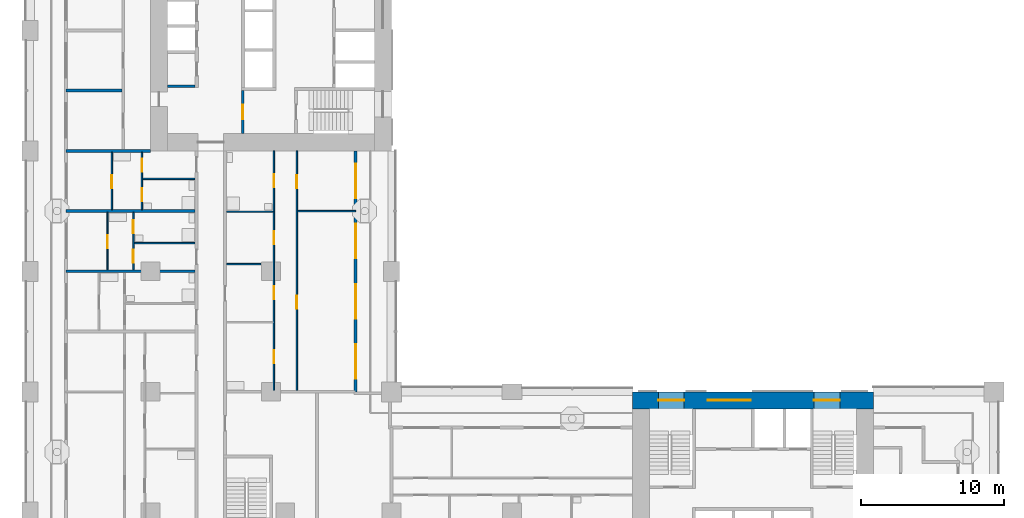
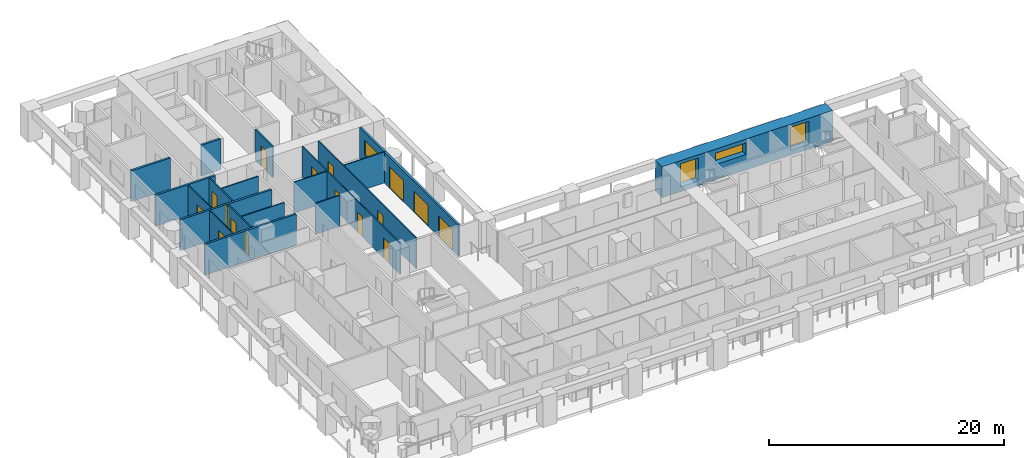
# One storey, part 7 of 19: 19 walls, 16 doors, 4 windows, 20 openings.
"""IFC4 building model written with IfcOpenShell, lengths in metres."""

from ifc_helpers import new_model, si_unit, direction, frame, frame_2d, origin, place, context, subcontext, project, spatial, rectangle, extrude, material, layer, layer_set, type_object, element, fill, save


model = new_model("IFC4")

# Units and contexts
model_context = context("Model", 3, precision=1e-05, world=origin(), true_north=direction((0.0, 1.0)))
body_context = subcontext(model_context, "Body", "Model", "MODEL_VIEW")
ifc_project = project(units=[si_unit("LENGTHUNIT", "METRE"), si_unit("AREAUNIT", "SQUARE_METRE"), si_unit("VOLUMEUNIT", "CUBIC_METRE"), si_unit("PLANEANGLEUNIT", "RADIAN"), si_unit("MASSUNIT", "GRAM", prefix="KILO")], contexts=[model_context])

# Site, building, storey
site_placement = place(None, origin())
site = spatial("IfcSite", under=ifc_project, at=site_placement, CompositionType="ELEMENT")
building_placement = place(site_placement, origin())
building = spatial("IfcBuilding", under=site, at=building_placement, Name="Vermilion Gate Residences", CompositionType="ELEMENT")
storey_placement = place(building_placement, frame((0.0, 0.0, 32.199951171875)))
storey = spatial("IfcBuildingStorey", under=building, at=storey_placement, Name="L06", CompositionType="ELEMENT", Elevation=32.199951171875)

# Wall, opening, door
ifc_material_1 = material(Name="Masonry blockwork", Category="masonry")
ifc_layer_1 = layer(ifc_material_1, 0.14990234375)
ifc_layer_set_1 = layer_set([ifc_layer_1], Name="BLOCKWORK PARTITION 150 EI 120")
wall_type_1 = type_object("IfcWallType", Name="BLOCKWORK PARTITION 150 EI 120", PredefinedType="PARTITIONING", material=ifc_layer_set_1)
wall_1_placement = place(storey_placement, frame((14.824951171875, 46.199951171875, 0.0), z_axis=(0.0, 0.0, 1.0), x_axis=(0.0, -1.0, 0.0)))
wall_1 = element("IfcWall", 1, at=wall_1_placement, inside=storey, type_object=wall_type_1, Name="Core room partition B06-VE-S", PredefinedType="PARTITIONING", context=body_context, shape_type="SweptSolid", body=[
    extrude(rectangle(XDim=3.0, YDim=0.14990234375, at=frame_2d((1.5, 0.0))), origin(), (0.0, 0.0, 1.0), 3.219970703125),
])
opening_1_placement = place(wall_1_placement, frame((1.0, 0.0, 0.0)))
opening_1 = element("IfcOpeningElement", 2, at=opening_1_placement, cuts=wall_1, Name="Opening DK06113", PredefinedType="OPENING", context=body_context, shape_type="SweptSolid", body=[
    extrude(rectangle(XDim=1.0, YDim=2.10009765625, at=frame_2d((0.5, 1.050048828125))), frame((0.0, 0.0849609375, 0.0), z_axis=(0.0, -1.0, 0.0), x_axis=(1.0, 0.0, 0.0)), (0.0, 0.0, 1.0), 0.169921875),
])
ifc_material_2 = material(Name="Steel", Category="steel")
door_type_1 = type_object("IfcDoorType", Name="FIRE DOOR FD60 1000 X 2100", OperationType="SINGLE_SWING_LEFT", PredefinedType="DOOR", material=ifc_material_2)
door_1_placement = place(opening_1_placement, frame((1.0, 0.0, 0.0), z_axis=(0.0, 0.0, 1.0), x_axis=(-1.0, 0.0, 0.0)))
door_1 = element("IfcDoor", 3, at=door_1_placement, inside=storey, type_object=door_type_1, Name="Stair vestibule door B06", OperationType="SINGLE_SWING_LEFT", OverallHeight=2.10009765625, OverallWidth=1.0, PredefinedType="DOOR", context=body_context, shape_type="SweptSolid", body=[
    extrude(rectangle(XDim=1.0, YDim=2.10009765625, at=frame_2d((0.5, 1.050048828125))), frame((0.0, 0.02490234375, 0.0), z_axis=(0.0, -1.0, 0.0), x_axis=(1.0, 0.0, 0.0)), (0.0, 0.0, 1.0), 0.050048828125),
])
fill(opening_1, door_1)

# Wall, openings, doors, window
ifc_material_3 = material(Name="Insulated steel stud wall with terracotta rainscreen", Category="masonry")
ifc_layer_2 = layer(ifc_material_3, 0.199951171875)
ifc_layer_set_2 = layer_set([ifc_layer_2], Name="EXTERNAL WALL 200 TERRACOTTA RAINSCREEN")
wall_type_2 = type_object("IfcWallType", Name="EXTERNAL WALL 200 TERRACOTTA RAINSCREEN", PredefinedType="SOLIDWALL", material=ifc_layer_set_2)
wall_2_placement = place(storey_placement, frame((22.699951171875, 25.199951171875, 0.0), z_axis=(0.0, 0.0, 1.0), x_axis=(0.0, 1.0, 0.0)))
wall_2 = element("IfcWall", 4, at=wall_2_placement, inside=storey, type_object=wall_type_2, Name="External wall", PredefinedType="SOLIDWALL", context=body_context, shape_type="SweptSolid", body=[
    extrude(rectangle(XDim=16.800048828125, YDim=0.199951171875, at=frame_2d((8.39990234375, 0.0))), origin(), (0.0, 0.0, 1.0), 3.219970703125),
])
opening_2_placement = place(wall_2_placement, frame((0.89990234375, 0.0, 0.0)))
opening_2 = element("IfcOpeningElement", 5, at=opening_2_placement, cuts=wall_2, Name="Opening DE06037", PredefinedType="OPENING", context=body_context, shape_type="SweptSolid", body=[
    extrude(rectangle(XDim=2.39990234375, YDim=2.199951171875, at=frame_2d((1.199951171875, 1.10009765625))), frame((0.0, 0.10986328125, 0.0), z_axis=(0.0, -1.0, 0.0), x_axis=(1.0, 0.0, 0.0)), (0.0, 0.0, 1.0), 0.219970703125),
])
opening_3_placement = place(wall_2_placement, frame((5.10009765625, 0.0, 0.0)))
opening_3 = element("IfcOpeningElement", 6, at=opening_3_placement, cuts=wall_2, Name="Opening DE06038", PredefinedType="OPENING", context=body_context, shape_type="SweptSolid", body=[
    extrude(rectangle(XDim=2.39990234375, YDim=2.199951171875, at=frame_2d((1.199951171875, 1.10009765625))), frame((0.0, 0.10986328125, 0.0), z_axis=(0.0, -1.0, 0.0), x_axis=(1.0, 0.0, 0.0)), (0.0, 0.0, 1.0), 0.219970703125),
])
opening_4_placement = place(wall_2_placement, frame((9.300048828125, 0.0, 0.0)))
opening_4 = element("IfcOpeningElement", 7, at=opening_4_placement, cuts=wall_2, Name="Opening DE06039", PredefinedType="OPENING", context=body_context, shape_type="SweptSolid", body=[
    extrude(rectangle(XDim=2.39990234375, YDim=2.199951171875, at=frame_2d((1.199951171875, 1.10009765625))), frame((0.0, 0.10986328125, 0.0), z_axis=(0.0, -1.0, 0.0), x_axis=(1.0, 0.0, 0.0)), (0.0, 0.0, 1.0), 0.219970703125),
])
opening_5_placement = place(wall_2_placement, frame((13.5, 0.0, 0.89990234375)))
opening_5 = element("IfcOpeningElement", 8, at=opening_5_placement, cuts=wall_2, Name="Opening WE06040", PredefinedType="OPENING", context=body_context, shape_type="SweptSolid", body=[
    extrude(rectangle(XDim=2.39990234375, YDim=1.5, at=frame_2d((1.199951171875, 0.75))), frame((0.0, 0.10986328125, 0.0), z_axis=(0.0, -1.0, 0.0), x_axis=(1.0, 0.0, 0.0)), (0.0, 0.0, 1.0), 0.219970703125),
])
ifc_material_4 = material(Name="Aluminium and clear glass", Category="aluminium")
door_type_2 = type_object("IfcDoorType", Name="SLIDING GLAZED DOOR 2400 X 2200", OperationType="DOUBLE_DOOR_SLIDING", PredefinedType="DOOR", material=ifc_material_4)
door_2_placement = place(opening_2_placement, origin())
door_2 = element("IfcDoor", 9, at=door_2_placement, inside=storey, type_object=door_type_2, Name="Loggia sliding door", OperationType="DOUBLE_DOOR_SLIDING", OverallHeight=2.199951171875, OverallWidth=2.39990234375, PredefinedType="DOOR", context=body_context, shape_type="SweptSolid", body=[
    extrude(rectangle(XDim=2.39990234375, YDim=2.199951171875, at=frame_2d((1.199951171875, 1.10009765625))), frame((0.0, 0.02490234375, 0.0), z_axis=(0.0, -1.0, 0.0), x_axis=(1.0, 0.0, 0.0)), (0.0, 0.0, 1.0), 0.050048828125),
])
fill(opening_2, door_2)
door_3_placement = place(opening_3_placement, origin())
door_3 = element("IfcDoor", 10, at=door_3_placement, inside=storey, type_object=door_type_2, Name="Loggia sliding door", OperationType="DOUBLE_DOOR_SLIDING", OverallHeight=2.199951171875, OverallWidth=2.39990234375, PredefinedType="DOOR", context=body_context, shape_type="SweptSolid", body=[
    extrude(rectangle(XDim=2.39990234375, YDim=2.199951171875, at=frame_2d((1.199951171875, 1.10009765625))), frame((0.0, 0.02490234375, 0.0), z_axis=(0.0, -1.0, 0.0), x_axis=(1.0, 0.0, 0.0)), (0.0, 0.0, 1.0), 0.050048828125),
])
fill(opening_3, door_3)
door_4_placement = place(opening_4_placement, origin())
door_4 = element("IfcDoor", 11, at=door_4_placement, inside=storey, type_object=door_type_2, Name="Loggia sliding door", OperationType="DOUBLE_DOOR_SLIDING", OverallHeight=2.199951171875, OverallWidth=2.39990234375, PredefinedType="DOOR", context=body_context, shape_type="SweptSolid", body=[
    extrude(rectangle(XDim=2.39990234375, YDim=2.199951171875, at=frame_2d((1.199951171875, 1.10009765625))), frame((0.0, 0.02490234375, 0.0), z_axis=(0.0, -1.0, 0.0), x_axis=(1.0, 0.0, 0.0)), (0.0, 0.0, 1.0), 0.050048828125),
])
fill(opening_4, door_4)
ifc_material_5 = material(Name="Aluminium and clear glass", Category="aluminium")
window_type_1 = type_object("IfcWindowType", Name="WINDOW 2400 X 1500", PartitioningType="SINGLE_PANEL", PredefinedType="WINDOW", material=ifc_material_5)
window_1_placement = place(opening_5_placement, origin())
window_1 = element("IfcWindow", 12, at=window_1_placement, inside=storey, type_object=window_type_1, Name="Window", OverallHeight=1.5, OverallWidth=2.39990234375, PartitioningType="SINGLE_PANEL", PredefinedType="WINDOW", context=body_context, shape_type="SweptSolid", body=[
    extrude(rectangle(XDim=2.39990234375, YDim=1.5, at=frame_2d((1.199951171875, 0.75))), frame((0.0, 0.030029296875, 0.0), z_axis=(0.0, -1.0, 0.0), x_axis=(1.0, 0.0, 0.0)), (0.0, 0.0, 1.0), 0.06005859375),
])
fill(opening_5, window_1)

# Walls
ifc_material_6 = material(Name="Plasterboard on steel studs", Category="steel")
ifc_layer_3 = layer(ifc_material_6, 0.10009765625)
ifc_layer_set_3 = layer_set([ifc_layer_3], Name="PARTITION 100")
wall_type_3 = type_object("IfcWallType", Name="PARTITION 100", PredefinedType="PARTITIONING", material=ifc_layer_set_3)
wall_3_placement = place(storey_placement, frame((13.699951171875, 34.10009765625, 0.0), z_axis=(0.0, 0.0, 1.0), x_axis=(1.0, 0.0, 0.0)))
element("IfcWall", 13, at=wall_3_placement, inside=storey, type_object=wall_type_3, Name="Partition", PredefinedType="PARTITIONING", context=body_context, shape_type="SweptSolid", body=[
    extrude(rectangle(XDim=2.400146484375, YDim=0.10009765625, at=frame_2d((1.2001953125, 0.0))), origin(), (0.0, 0.0, 1.0), 3.219970703125),
])
wall_4_placement = place(storey_placement, frame((7.25, 35.56005859375, 0.0), z_axis=(0.0, 0.0, 1.0), x_axis=(1.0, 0.0, 0.0)))
element("IfcWall", 14, at=wall_4_placement, inside=storey, type_object=wall_type_3, Name="Partition", PredefinedType="PARTITIONING", context=body_context, shape_type="SweptSolid", body=[
    extrude(rectangle(XDim=4.25, YDim=0.10009765625, at=frame_2d((2.125, 0.0))), origin(), (0.0, 0.0, 1.0), 3.219970703125),
])
wall_5_placement = place(storey_placement, frame((13.699951171875, 37.75, 0.0), z_axis=(0.0, 0.0, 1.0), x_axis=(1.0, 0.0, 0.0)))
element("IfcWall", 15, at=wall_5_placement, inside=storey, type_object=wall_type_3, Name="Partition", PredefinedType="PARTITIONING", context=body_context, shape_type="SweptSolid", body=[
    extrude(rectangle(XDim=3.25, YDim=0.10009765625, at=frame_2d((1.625, 0.0))), origin(), (0.0, 0.0, 1.0), 3.219970703125),
])
wall_6_placement = place(storey_placement, frame((18.64990234375, 37.800048828125, 0.0), z_axis=(0.0, 0.0, 1.0), x_axis=(1.0, 0.0, 0.0)))
element("IfcWall", 16, at=wall_6_placement, inside=storey, type_object=wall_type_3, Name="Partition", PredefinedType="PARTITIONING", context=body_context, shape_type="SweptSolid", body=[
    extrude(rectangle(XDim=4.050048828125, YDim=0.10009765625, at=frame_2d((2.02490234375, 0.0))), origin(), (0.0, 0.0, 1.0), 3.219970703125),
])
wall_7_placement = place(storey_placement, frame((7.85009765625, 40.0400390625, 0.0), z_axis=(0.0, 0.0, 1.0), x_axis=(1.0, 0.0, 0.0)))
element("IfcWall", 17, at=wall_7_placement, inside=storey, type_object=wall_type_3, Name="Partition", PredefinedType="PARTITIONING", context=body_context, shape_type="SweptSolid", body=[
    extrude(rectangle(XDim=3.64990234375, YDim=0.10009765625, at=frame_2d((1.824951171875, 0.0))), origin(), (0.0, 0.0, 1.0), 3.219970703125),
])

# Wall, opening, door
wall_8_placement = place(storey_placement, frame((5.39990234375, 33.699951171875, 0.0), z_axis=(0.0, 0.0, 1.0), x_axis=(0.0, 1.0, 0.0)))
wall_8 = element("IfcWall", 18, at=wall_8_placement, inside=storey, type_object=wall_type_3, Name="Partition", PredefinedType="PARTITIONING", context=body_context, shape_type="SweptSolid", body=[
    extrude(rectangle(XDim=4.0, YDim=0.10009765625, at=frame_2d((2.0, 0.0))), origin(), (0.0, 0.0, 1.0), 3.219970703125),
])
opening_6_placement = place(wall_8_placement, frame((1.5, 0.0, 0.0)))
opening_6 = element("IfcOpeningElement", 19, at=opening_6_placement, cuts=wall_8, Name="Opening DA04033", PredefinedType="OPENING", context=body_context, shape_type="SweptSolid", body=[
    extrude(rectangle(XDim=0.89990234375, YDim=2.10009765625, at=frame_2d((0.449951171875, 1.050048828125))), frame((0.0, 0.06005859375, 0.0), z_axis=(0.0, -1.0, 0.0), x_axis=(1.0, 0.0, 0.0)), (0.0, 0.0, 1.0), 0.1201171875),
])
ifc_material_7 = material(Name="Timber", Category="wood")
door_type_3 = type_object("IfcDoorType", Name="INTERIOR DOOR 900 X 2100", OperationType="SINGLE_SWING_LEFT", PredefinedType="DOOR", material=ifc_material_7)
door_5_placement = place(opening_6_placement, frame((0.89990234375, 0.0, 0.0), z_axis=(0.0, 0.0, 1.0), x_axis=(-1.0, 0.0, 0.0)))
door_5 = element("IfcDoor", 20, at=door_5_placement, inside=storey, type_object=door_type_3, Name="Interior door", OperationType="SINGLE_SWING_LEFT", OverallHeight=2.10009765625, OverallWidth=0.89990234375, PredefinedType="DOOR", context=body_context, shape_type="SweptSolid", body=[
    extrude(rectangle(XDim=0.89990234375, YDim=2.10009765625, at=frame_2d((0.449951171875, 1.050048828125))), frame((0.0, 0.02490234375, 0.0), z_axis=(0.0, -1.0, 0.0), x_axis=(1.0, 0.0, 0.0)), (0.0, 0.0, 1.0), 0.050048828125),
])
fill(opening_6, door_5)

wall_9_placement = place(storey_placement, frame((5.699951171875, 37.89990234375, 0.0), z_axis=(0.0, 0.0, 1.0), x_axis=(0.0, 1.0, 0.0)))
wall_9 = element("IfcWall", 21, at=wall_9_placement, inside=storey, type_object=wall_type_3, Name="Partition", PredefinedType="PARTITIONING", context=body_context, shape_type="SweptSolid", body=[
    extrude(rectangle(XDim=4.0, YDim=0.10009765625, at=frame_2d((2.0, 0.0))), origin(), (0.0, 0.0, 1.0), 3.219970703125),
])
opening_7_placement = place(wall_9_placement, frame((1.5, 0.0, 0.0)))
opening_7 = element("IfcOpeningElement", 22, at=opening_7_placement, cuts=wall_9, Name="Opening DA04034", PredefinedType="OPENING", context=body_context, shape_type="SweptSolid", body=[
    extrude(rectangle(XDim=0.89990234375, YDim=2.10009765625, at=frame_2d((0.449951171875, 1.050048828125))), frame((0.0, 0.06005859375, 0.0), z_axis=(0.0, -1.0, 0.0), x_axis=(1.0, 0.0, 0.0)), (0.0, 0.0, 1.0), 0.1201171875),
])
door_6_placement = place(opening_7_placement, frame((0.89990234375, 0.0, 0.0), z_axis=(0.0, 0.0, 1.0), x_axis=(-1.0, 0.0, 0.0)))
door_6 = element("IfcDoor", 23, at=door_6_placement, inside=storey, type_object=door_type_3, Name="Interior door", OperationType="SINGLE_SWING_LEFT", OverallHeight=2.10009765625, OverallWidth=0.89990234375, PredefinedType="DOOR", context=body_context, shape_type="SweptSolid", body=[
    extrude(rectangle(XDim=0.89990234375, YDim=2.10009765625, at=frame_2d((0.449951171875, 1.050048828125))), frame((0.0, 0.02490234375, 0.0), z_axis=(0.0, -1.0, 0.0), x_axis=(1.0, 0.0, 0.0)), (0.0, 0.0, 1.0), 0.050048828125),
])
fill(opening_7, door_6)

# Wall, openings, doors
wall_10_placement = place(storey_placement, frame((7.199951171875, 33.699951171875, 0.0), z_axis=(0.0, 0.0, 1.0), x_axis=(0.0, 1.0, 0.0)))
wall_10 = element("IfcWall", 24, at=wall_10_placement, inside=storey, type_object=wall_type_3, Name="Partition", PredefinedType="PARTITIONING", context=body_context, shape_type="SweptSolid", body=[
    extrude(rectangle(XDim=4.0, YDim=0.10009765625, at=frame_2d((2.0, 0.0))), origin(), (0.0, 0.0, 1.0), 3.219970703125),
])
opening_8_placement = place(wall_10_placement, frame((0.5, 0.0, 0.0)))
opening_8 = element("IfcOpeningElement", 25, at=opening_8_placement, cuts=wall_10, Name="Opening DA04042", PredefinedType="OPENING", context=body_context, shape_type="SweptSolid", body=[
    extrude(rectangle(XDim=0.89990234375, YDim=2.10009765625, at=frame_2d((0.449951171875, 1.050048828125))), frame((0.0, 0.06005859375, 0.0), z_axis=(0.0, -1.0, 0.0), x_axis=(1.0, 0.0, 0.0)), (0.0, 0.0, 1.0), 0.1201171875),
])
opening_9_placement = place(wall_10_placement, frame((2.56005859375, 0.0, 0.0)))
opening_9 = element("IfcOpeningElement", 26, at=opening_9_placement, cuts=wall_10, Name="Opening DA04043", PredefinedType="OPENING", context=body_context, shape_type="SweptSolid", body=[
    extrude(rectangle(XDim=0.89990234375, YDim=2.10009765625, at=frame_2d((0.449951171875, 1.050048828125))), frame((0.0, 0.06005859375, 0.0), z_axis=(0.0, -1.0, 0.0), x_axis=(1.0, 0.0, 0.0)), (0.0, 0.0, 1.0), 0.1201171875),
])
door_7_placement = place(opening_8_placement, origin())
door_7 = element("IfcDoor", 27, at=door_7_placement, inside=storey, type_object=door_type_3, Name="Interior door", OperationType="SINGLE_SWING_LEFT", OverallHeight=2.10009765625, OverallWidth=0.89990234375, PredefinedType="DOOR", context=body_context, shape_type="SweptSolid", body=[
    extrude(rectangle(XDim=0.89990234375, YDim=2.10009765625, at=frame_2d((0.449951171875, 1.050048828125))), frame((0.0, 0.02490234375, 0.0), z_axis=(0.0, -1.0, 0.0), x_axis=(1.0, 0.0, 0.0)), (0.0, 0.0, 1.0), 0.050048828125),
])
fill(opening_8, door_7)
door_8_placement = place(opening_9_placement, origin())
door_8 = element("IfcDoor", 28, at=door_8_placement, inside=storey, type_object=door_type_3, Name="Interior door", OperationType="SINGLE_SWING_LEFT", OverallHeight=2.10009765625, OverallWidth=0.89990234375, PredefinedType="DOOR", context=body_context, shape_type="SweptSolid", body=[
    extrude(rectangle(XDim=0.89990234375, YDim=2.10009765625, at=frame_2d((0.449951171875, 1.050048828125))), frame((0.0, 0.02490234375, 0.0), z_axis=(0.0, -1.0, 0.0), x_axis=(1.0, 0.0, 0.0)), (0.0, 0.0, 1.0), 0.050048828125),
])
fill(opening_9, door_8)

wall_11_placement = place(storey_placement, frame((7.800048828125, 37.89990234375, 0.0), z_axis=(0.0, 0.0, 1.0), x_axis=(0.0, 1.0, 0.0)))
wall_11 = element("IfcWall", 29, at=wall_11_placement, inside=storey, type_object=wall_type_3, Name="Partition", PredefinedType="PARTITIONING", context=body_context, shape_type="SweptSolid", body=[
    extrude(rectangle(XDim=4.0, YDim=0.10009765625, at=frame_2d((2.0, 0.0))), origin(), (0.0, 0.0, 1.0), 3.219970703125),
])
opening_10_placement = place(wall_11_placement, frame((2.639892578125, 0.0, 0.0)))
opening_10 = element("IfcOpeningElement", 30, at=opening_10_placement, cuts=wall_11, Name="Opening DA04044", PredefinedType="OPENING", context=body_context, shape_type="SweptSolid", body=[
    extrude(rectangle(XDim=0.89990234375, YDim=2.10009765625, at=frame_2d((0.449951171875, 1.050048828125))), frame((0.0, 0.06005859375, 0.0), z_axis=(0.0, -1.0, 0.0), x_axis=(1.0, 0.0, 0.0)), (0.0, 0.0, 1.0), 0.1201171875),
])
opening_11_placement = place(wall_11_placement, frame((0.60009765625, 0.0, 0.0)))
opening_11 = element("IfcOpeningElement", 31, at=opening_11_placement, cuts=wall_11, Name="Opening DA04045", PredefinedType="OPENING", context=body_context, shape_type="SweptSolid", body=[
    extrude(rectangle(XDim=0.89990234375, YDim=2.10009765625, at=frame_2d((0.449951171875, 1.050048828125))), frame((0.0, 0.06005859375, 0.0), z_axis=(0.0, -1.0, 0.0), x_axis=(1.0, 0.0, 0.0)), (0.0, 0.0, 1.0), 0.1201171875),
])
door_9_placement = place(opening_10_placement, origin())
door_9 = element("IfcDoor", 32, at=door_9_placement, inside=storey, type_object=door_type_3, Name="Interior door", OperationType="SINGLE_SWING_LEFT", OverallHeight=2.10009765625, OverallWidth=0.89990234375, PredefinedType="DOOR", context=body_context, shape_type="SweptSolid", body=[
    extrude(rectangle(XDim=0.89990234375, YDim=2.10009765625, at=frame_2d((0.449951171875, 1.050048828125))), frame((0.0, 0.02490234375, 0.0), z_axis=(0.0, -1.0, 0.0), x_axis=(1.0, 0.0, 0.0)), (0.0, 0.0, 1.0), 0.050048828125),
])
fill(opening_10, door_9)
door_10_placement = place(opening_11_placement, frame((0.89990234375, 0.0, 0.0), z_axis=(0.0, 0.0, 1.0), x_axis=(-1.0, 0.0, 0.0)))
door_10 = element("IfcDoor", 33, at=door_10_placement, inside=storey, type_object=door_type_3, Name="Interior door", OperationType="SINGLE_SWING_RIGHT", OverallHeight=2.10009765625, OverallWidth=0.89990234375, PredefinedType="DOOR", context=body_context, shape_type="SweptSolid", body=[
    extrude(rectangle(XDim=0.89990234375, YDim=2.10009765625, at=frame_2d((0.449951171875, 1.050048828125))), frame((0.0, 0.02490234375, 0.0), z_axis=(0.0, -1.0, 0.0), x_axis=(1.0, 0.0, 0.0)), (0.0, 0.0, 1.0), 0.050048828125),
])
fill(opening_11, door_10)

wall_12_placement = place(storey_placement, frame((17.0, 25.300048828125, 0.0), z_axis=(0.0, 0.0, 1.0), x_axis=(0.0, 1.0, 0.0)))
wall_12 = element("IfcWall", 34, at=wall_12_placement, inside=storey, type_object=wall_type_3, Name="Partition", PredefinedType="PARTITIONING", context=body_context, shape_type="SweptSolid", body=[
    extrude(rectangle(XDim=16.699951171875, YDim=0.10009765625, at=frame_2d((8.35009765625, 0.0))), origin(), (0.0, 0.0, 1.0), 3.219970703125),
])
opening_12_placement = place(wall_12_placement, frame((6.35009765625, 0.0, 0.0)))
opening_12 = element("IfcOpeningElement", 35, at=opening_12_placement, cuts=wall_12, Name="Opening DA04059", PredefinedType="OPENING", context=body_context, shape_type="SweptSolid", body=[
    extrude(rectangle(XDim=0.89990234375, YDim=2.10009765625, at=frame_2d((0.449951171875, 1.050048828125))), frame((0.0, 0.06005859375, 0.0), z_axis=(0.0, -1.0, 0.0), x_axis=(1.0, 0.0, 0.0)), (0.0, 0.0, 1.0), 0.1201171875),
])
opening_13_placement = place(wall_12_placement, frame((1.89990234375, 0.0, 0.0)))
opening_13 = element("IfcOpeningElement", 36, at=opening_13_placement, cuts=wall_12, Name="Opening DA04060", PredefinedType="OPENING", context=body_context, shape_type="SweptSolid", body=[
    extrude(rectangle(XDim=0.89990234375, YDim=2.10009765625, at=frame_2d((0.449951171875, 1.050048828125))), frame((0.0, 0.06005859375, 0.0), z_axis=(0.0, -1.0, 0.0), x_axis=(1.0, 0.0, 0.0)), (0.0, 0.0, 1.0), 0.1201171875),
])
opening_14_placement = place(wall_12_placement, frame((10.199951171875, 0.0, 0.0)))
opening_14 = element("IfcOpeningElement", 37, at=opening_14_placement, cuts=wall_12, Name="Opening DA04061", PredefinedType="OPENING", context=body_context, shape_type="SweptSolid", body=[
    extrude(rectangle(XDim=0.89990234375, YDim=2.10009765625, at=frame_2d((0.449951171875, 1.050048828125))), frame((0.0, 0.06005859375, 0.0), z_axis=(0.0, -1.0, 0.0), x_axis=(1.0, 0.0, 0.0)), (0.0, 0.0, 1.0), 0.1201171875),
])
opening_15_placement = place(wall_12_placement, frame((14.14990234375, 0.0, 0.0)))
opening_15 = element("IfcOpeningElement", 38, at=opening_15_placement, cuts=wall_12, Name="Opening DA04062", PredefinedType="OPENING", context=body_context, shape_type="SweptSolid", body=[
    extrude(rectangle(XDim=0.89990234375, YDim=2.10009765625, at=frame_2d((0.449951171875, 1.050048828125))), frame((0.0, 0.06005859375, 0.0), z_axis=(0.0, -1.0, 0.0), x_axis=(1.0, 0.0, 0.0)), (0.0, 0.0, 1.0), 0.1201171875),
])
door_11_placement = place(opening_12_placement, origin())
door_11 = element("IfcDoor", 39, at=door_11_placement, inside=storey, type_object=door_type_3, Name="Interior door", OperationType="SINGLE_SWING_RIGHT", OverallHeight=2.10009765625, OverallWidth=0.89990234375, PredefinedType="DOOR", context=body_context, shape_type="SweptSolid", body=[
    extrude(rectangle(XDim=0.89990234375, YDim=2.10009765625, at=frame_2d((0.449951171875, 1.050048828125))), frame((0.0, 0.02490234375, 0.0), z_axis=(0.0, -1.0, 0.0), x_axis=(1.0, 0.0, 0.0)), (0.0, 0.0, 1.0), 0.050048828125),
])
fill(opening_12, door_11)
door_12_placement = place(opening_13_placement, origin())
door_12 = element("IfcDoor", 40, at=door_12_placement, inside=storey, type_object=door_type_3, Name="Interior door", OperationType="SINGLE_SWING_LEFT", OverallHeight=2.10009765625, OverallWidth=0.89990234375, PredefinedType="DOOR", context=body_context, shape_type="SweptSolid", body=[
    extrude(rectangle(XDim=0.89990234375, YDim=2.10009765625, at=frame_2d((0.449951171875, 1.050048828125))), frame((0.0, 0.02490234375, 0.0), z_axis=(0.0, -1.0, 0.0), x_axis=(1.0, 0.0, 0.0)), (0.0, 0.0, 1.0), 0.050048828125),
])
fill(opening_13, door_12)
door_13_placement = place(opening_14_placement, origin())
door_13 = element("IfcDoor", 41, at=door_13_placement, inside=storey, type_object=door_type_3, Name="Interior door", OperationType="SINGLE_SWING_LEFT", OverallHeight=2.10009765625, OverallWidth=0.89990234375, PredefinedType="DOOR", context=body_context, shape_type="SweptSolid", body=[
    extrude(rectangle(XDim=0.89990234375, YDim=2.10009765625, at=frame_2d((0.449951171875, 1.050048828125))), frame((0.0, 0.02490234375, 0.0), z_axis=(0.0, -1.0, 0.0), x_axis=(1.0, 0.0, 0.0)), (0.0, 0.0, 1.0), 0.050048828125),
])
fill(opening_14, door_13)
door_14_placement = place(opening_15_placement, origin())
door_14 = element("IfcDoor", 42, at=door_14_placement, inside=storey, type_object=door_type_3, Name="Interior door", OperationType="SINGLE_SWING_LEFT", OverallHeight=2.10009765625, OverallWidth=0.89990234375, PredefinedType="DOOR", context=body_context, shape_type="SweptSolid", body=[
    extrude(rectangle(XDim=0.89990234375, YDim=2.10009765625, at=frame_2d((0.449951171875, 1.050048828125))), frame((0.0, 0.02490234375, 0.0), z_axis=(0.0, -1.0, 0.0), x_axis=(1.0, 0.0, 0.0)), (0.0, 0.0, 1.0), 0.050048828125),
])
fill(opening_15, door_14)

wall_13_placement = place(storey_placement, frame((18.60009765625, 25.300048828125, 0.0), z_axis=(0.0, 0.0, 1.0), x_axis=(0.0, 1.0, 0.0)))
wall_13 = element("IfcWall", 43, at=wall_13_placement, inside=storey, type_object=wall_type_3, Name="Partition", PredefinedType="PARTITIONING", context=body_context, shape_type="SweptSolid", body=[
    extrude(rectangle(XDim=16.699951171875, YDim=0.10009765625, at=frame_2d((8.35009765625, 0.0))), origin(), (0.0, 0.0, 1.0), 3.219970703125),
])
opening_16_placement = place(wall_13_placement, frame((5.699951171875, 0.0, 0.0)))
opening_16 = element("IfcOpeningElement", 44, at=opening_16_placement, cuts=wall_13, Name="Opening DA04063", PredefinedType="OPENING", context=body_context, shape_type="SweptSolid", body=[
    extrude(rectangle(XDim=0.89990234375, YDim=2.10009765625, at=frame_2d((0.449951171875, 1.050048828125))), frame((0.0, 0.06005859375, 0.0), z_axis=(0.0, -1.0, 0.0), x_axis=(1.0, 0.0, 0.0)), (0.0, 0.0, 1.0), 0.1201171875),
])
opening_17_placement = place(wall_13_placement, frame((14.10009765625, 0.0, 0.0)))
opening_17 = element("IfcOpeningElement", 45, at=opening_17_placement, cuts=wall_13, Name="Opening DA04064", PredefinedType="OPENING", context=body_context, shape_type="SweptSolid", body=[
    extrude(rectangle(XDim=0.89990234375, YDim=2.10009765625, at=frame_2d((0.449951171875, 1.050048828125))), frame((0.0, 0.06005859375, 0.0), z_axis=(0.0, -1.0, 0.0), x_axis=(1.0, 0.0, 0.0)), (0.0, 0.0, 1.0), 0.1201171875),
])
door_15_placement = place(opening_16_placement, frame((0.89990234375, 0.0, 0.0), z_axis=(0.0, 0.0, 1.0), x_axis=(-1.0, 0.0, 0.0)))
door_15 = element("IfcDoor", 46, at=door_15_placement, inside=storey, type_object=door_type_3, Name="Interior door", OperationType="SINGLE_SWING_RIGHT", OverallHeight=2.10009765625, OverallWidth=0.89990234375, PredefinedType="DOOR", context=body_context, shape_type="SweptSolid", body=[
    extrude(rectangle(XDim=0.89990234375, YDim=2.10009765625, at=frame_2d((0.449951171875, 1.050048828125))), frame((0.0, 0.02490234375, 0.0), z_axis=(0.0, -1.0, 0.0), x_axis=(1.0, 0.0, 0.0)), (0.0, 0.0, 1.0), 0.050048828125),
])
fill(opening_16, door_15)
door_16_placement = place(opening_17_placement, frame((0.89990234375, 0.0, 0.0), z_axis=(0.0, 0.0, 1.0), x_axis=(-1.0, 0.0, 0.0)))
door_16 = element("IfcDoor", 47, at=door_16_placement, inside=storey, type_object=door_type_3, Name="Interior door", OperationType="SINGLE_SWING_RIGHT", OverallHeight=2.10009765625, OverallWidth=0.89990234375, PredefinedType="DOOR", context=body_context, shape_type="SweptSolid", body=[
    extrude(rectangle(XDim=0.89990234375, YDim=2.10009765625, at=frame_2d((0.449951171875, 1.050048828125))), frame((0.0, 0.02490234375, 0.0), z_axis=(0.0, -1.0, 0.0), x_axis=(1.0, 0.0, 0.0)), (0.0, 0.0, 1.0), 0.050048828125),
])
fill(opening_17, door_16)

# Walls
ifc_material_8 = material(Name="Fire-rated plasterboard on steel studs", Category="steel")
ifc_layer_4 = layer(ifc_material_8, 0.199951171875)
ifc_layer_set_4 = layer_set([ifc_layer_4], Name="PARTY WALL 200 EI 120")
wall_type_4 = type_object("IfcWallType", Name="PARTY WALL 200 EI 120", PredefinedType="PARTITIONING", material=ifc_layer_set_4)
for number, where, z_axis, x_axis, name in (
    (48, (2.5, 33.60009765625, 0.0), (0.0, 0.0, 1.0), (1.0, 0.0, 0.0), "Party and corridor wall"),
    (49, (2.5, 37.800048828125, 0.0), (0.0, 0.0, 1.0), (1.0, 0.0, 0.0), "Party and corridor wall"),
):
    element("IfcWall", number, at=place(storey_placement, frame(where, z_axis=z_axis, x_axis=x_axis)), inside=storey, type_object=wall_type_4, Name=name, PredefinedType="PARTITIONING", context=body_context, shape_type="SweptSolid", body=[
        extrude(rectangle(XDim=9.0, YDim=0.199951171875, at=frame_2d((4.5, 0.0))), origin(), (0.0, 0.0, 1.0), 3.219970703125),
    ])
wall_14_placement = place(storey_placement, frame((2.5, 42.0, 0.0), z_axis=(0.0, 0.0, 1.0), x_axis=(1.0, 0.0, 0.0)))
element("IfcWall", 50, at=wall_14_placement, inside=storey, type_object=wall_type_4, Name="Party and corridor wall", PredefinedType="PARTITIONING", context=body_context, shape_type="SweptSolid", body=[
    extrude(rectangle(XDim=5.89990234375, YDim=0.199951171875, at=frame_2d((2.949951171875, 0.0))), origin(), (0.0, 0.0, 1.0), 3.219970703125),
])
wall_15_placement = place(storey_placement, frame((2.5, 46.199951171875, 0.0), z_axis=(0.0, 0.0, 1.0), x_axis=(1.0, 0.0, 0.0)))
element("IfcWall", 51, at=wall_15_placement, inside=storey, type_object=wall_type_4, Name="Party and corridor wall", PredefinedType="PARTITIONING", context=body_context, shape_type="SweptSolid", body=[
    extrude(rectangle(XDim=3.89990234375, YDim=0.199951171875, at=frame_2d((1.949951171875, 0.0))), origin(), (0.0, 0.0, 1.0), 3.219970703125),
])
ifc_material_9 = material(Name="Concrete C60", Category="concrete")
ifc_layer_5 = layer(ifc_material_9, 0.199951171875)
ifc_layer_set_5 = layer_set([ifc_layer_5], Name="RC CORE INTERNAL WALL 200 C60")
wall_type_5 = type_object("IfcWallType", Name="RC CORE INTERNAL WALL 200 C60", PredefinedType="SHEAR", material=ifc_layer_set_5)
wall_16_placement = place(storey_placement, frame((9.60009765625, 46.5, 0.0), z_axis=(0.0, 0.0, 1.0), x_axis=(1.0, 0.0, 0.0)))
element("IfcWall", 52, at=wall_16_placement, inside=storey, type_object=wall_type_5, Name="Core internal wall B06-LR-DE", PredefinedType="SHEAR", context=body_context, shape_type="SweptSolid", body=[
    extrude(rectangle(XDim=1.89990234375, YDim=0.199951171875, at=frame_2d((0.949951171875, 0.0))), origin(), (0.0, 0.0, 1.0), 3.219970703125),
])

# Wall, openings, windows
ifc_material_10 = material(Name="Concrete C80 red-oxide pigmented", Category="concrete")
ifc_layer_6 = layer(ifc_material_10, 1.199951171875)
ifc_layer_set_6 = layer_set([ifc_layer_6], Name="RC CORE WALL 1200 C80 RED OXIDE")
wall_type_6 = type_object("IfcWallType", Name="RC CORE WALL 1200 C80 RED OXIDE", PredefinedType="SHEAR", material=ifc_layer_set_6)
wall_17_placement = place(storey_placement, frame((42.0, 24.60009765625, 0.0), z_axis=(0.0, 0.0, 1.0), x_axis=(1.0, 0.0, 0.0)))
wall_17 = element("IfcWall", 53, at=wall_17_placement, inside=storey, type_object=wall_type_6, Name="Core wall A06-OUT-B1", PredefinedType="SHEAR", context=body_context, shape_type="SweptSolid", body=[
    extrude(rectangle(XDim=16.800048828125, YDim=1.199951171875, at=frame_2d((8.39990234375, 0.0))), origin(), (0.0, 0.0, 1.0), 3.219970703125),
])
opening_18_placement = place(wall_17_placement, frame((1.800048828125, 0.0, 0.5)))
opening_18 = element("IfcOpeningElement", 54, at=opening_18_placement, cuts=wall_17, Name="Opening WKA0601", PredefinedType="OPENING", context=body_context, shape_type="SweptSolid", body=[
    extrude(rectangle(XDim=1.800048828125, YDim=2.39990234375, at=frame_2d((0.89990234375, 1.199951171875))), frame((0.0, 0.60986328125, 0.0), z_axis=(0.0, -1.0, 0.0), x_axis=(1.0, 0.0, 0.0)), (0.0, 0.0, 1.0), 1.219970703125),
])
opening_19_placement = place(wall_17_placement, frame((5.25, 0.0, 1.60009765625)))
opening_19 = element("IfcOpeningElement", 55, at=opening_19_placement, cuts=wall_17, Name="Opening WKA0602", PredefinedType="OPENING", context=body_context, shape_type="SweptSolid", body=[
    extrude(rectangle(XDim=3.0, YDim=1.199951171875, at=frame_2d((1.5, 0.60009765625))), frame((0.0, 0.60986328125, 0.0), z_axis=(0.0, -1.0, 0.0), x_axis=(1.0, 0.0, 0.0)), (0.0, 0.0, 1.0), 1.219970703125),
])
opening_20_placement = place(wall_17_placement, frame((12.64990234375, 0.0, 0.5)))
opening_20 = element("IfcOpeningElement", 56, at=opening_20_placement, cuts=wall_17, Name="Opening WKA0603", PredefinedType="OPENING", context=body_context, shape_type="SweptSolid", body=[
    extrude(rectangle(XDim=1.800048828125, YDim=2.39990234375, at=frame_2d((0.89990234375, 1.199951171875))), frame((0.0, 0.60986328125, 0.0), z_axis=(0.0, -1.0, 0.0), x_axis=(1.0, 0.0, 0.0)), (0.0, 0.0, 1.0), 1.219970703125),
])
ifc_material_11 = material(Name="Aluminium frame with louvre blades", Category="aluminium")
window_type_2 = type_object("IfcWindowType", Name="CORE LOUVRE 3000 X 1200", PartitioningType="SINGLE_PANEL", PredefinedType="WINDOW", material=ifc_material_11)
window_2_placement = place(opening_19_placement, origin())
window_2 = element("IfcWindow", 57, at=window_2_placement, inside=storey, type_object=window_type_2, Name="Core louvre", OverallHeight=1.199951171875, OverallWidth=3.0, PartitioningType="SINGLE_PANEL", PredefinedType="WINDOW", context=body_context, shape_type="SweptSolid", body=[
    extrude(rectangle(XDim=3.0, YDim=1.199951171875, at=frame_2d((1.5, 0.60009765625))), frame((0.0, 0.030029296875, 0.0), z_axis=(0.0, -1.0, 0.0), x_axis=(1.0, 0.0, 0.0)), (0.0, 0.0, 1.0), 0.06005859375),
])
fill(opening_19, window_2)
ifc_material_12 = material(Name="Aluminium and clear glass", Category="aluminium")
window_type_3 = type_object("IfcWindowType", Name="CORE STAIR WINDOW 1800 X 2400", PartitioningType="SINGLE_PANEL", PredefinedType="WINDOW", material=ifc_material_12)
window_3_placement = place(opening_18_placement, origin())
window_3 = element("IfcWindow", 58, at=window_3_placement, inside=storey, type_object=window_type_3, Name="Core stair window", OverallHeight=2.39990234375, OverallWidth=1.800048828125, PartitioningType="SINGLE_PANEL", PredefinedType="WINDOW", context=body_context, shape_type="SweptSolid", body=[
    extrude(rectangle(XDim=1.800048828125, YDim=2.39990234375, at=frame_2d((0.89990234375, 1.199951171875))), frame((0.0, 0.030029296875, 0.0), z_axis=(0.0, -1.0, 0.0), x_axis=(1.0, 0.0, 0.0)), (0.0, 0.0, 1.0), 0.06005859375),
])
fill(opening_18, window_3)
window_4_placement = place(opening_20_placement, origin())
window_4 = element("IfcWindow", 59, at=window_4_placement, inside=storey, type_object=window_type_3, Name="Core stair window", OverallHeight=2.39990234375, OverallWidth=1.800048828125, PartitioningType="SINGLE_PANEL", PredefinedType="WINDOW", context=body_context, shape_type="SweptSolid", body=[
    extrude(rectangle(XDim=1.800048828125, YDim=2.39990234375, at=frame_2d((0.89990234375, 1.199951171875))), frame((0.0, 0.030029296875, 0.0), z_axis=(0.0, -1.0, 0.0), x_axis=(1.0, 0.0, 0.0)), (0.0, 0.0, 1.0), 0.06005859375),
])
fill(opening_20, window_4)

save(model, "model.ifc")
